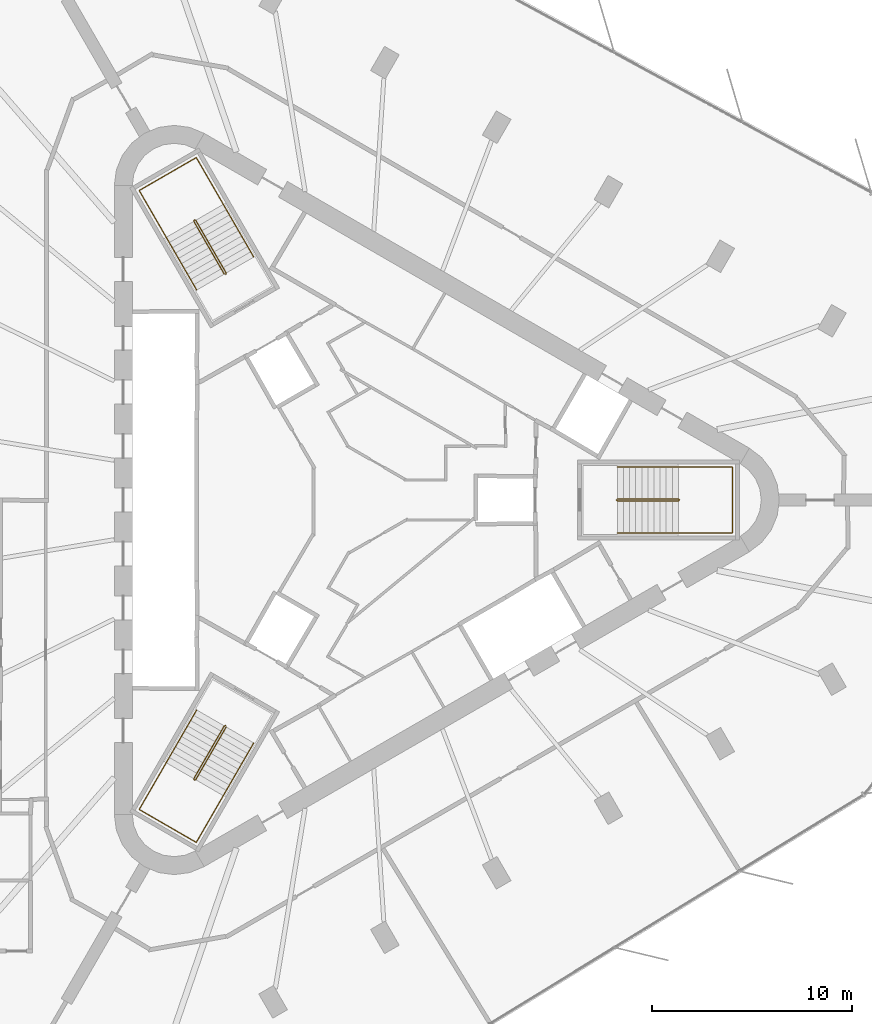
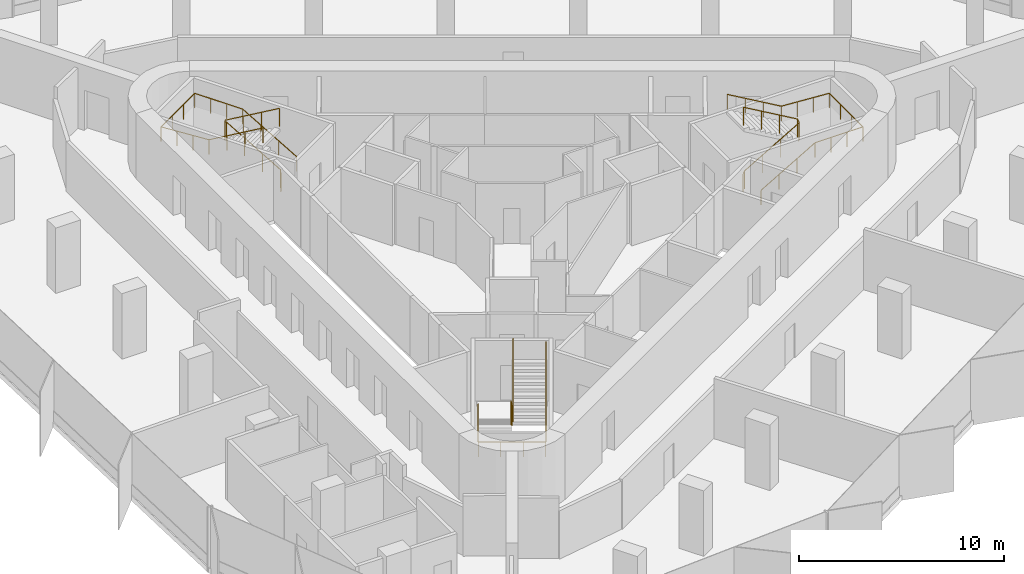
# One storey, part 12 of 12: 6 railings.
"""IFC4 building model written with IfcOpenShell, lengths in metres."""

from ifc_helpers import new_model, si_unit, direction, frame, origin, origin_2d, place, context, subcontext, project, spatial, circle, extrude, material, type_object, element, save


model = new_model("IFC4")

# Units and contexts
model_context = context("Model", 3, precision=1e-05, world=origin(), true_north=direction((0.0, 1.0)))
body_context = subcontext(model_context, "Body", "Model", "MODEL_VIEW")
ifc_project = project(units=[si_unit("LENGTHUNIT", "METRE"), si_unit("AREAUNIT", "SQUARE_METRE"), si_unit("VOLUMEUNIT", "CUBIC_METRE"), si_unit("PLANEANGLEUNIT", "RADIAN"), si_unit("MASSUNIT", "GRAM", prefix="KILO")], contexts=[model_context])

# Site, building, storey
site_placement = place(None, origin())
site = spatial("IfcSite", under=ifc_project, at=site_placement, CompositionType="ELEMENT")
building_placement = place(site_placement, origin())
building = spatial("IfcBuilding", under=site, at=building_placement, Name="Tanit Gate Tower", CompositionType="ELEMENT")
storey_placement = place(building_placement, frame((0.0, 0.0, 349.39990234375)))
storey = spatial("IfcBuildingStorey", under=building, at=storey_placement, Name="L79", CompositionType="ELEMENT", Elevation=349.39990234375)

# Railings
ifc_material_1 = material(Name="Stainless steel balustrade", Category="steel")
railing_type_1 = type_object("IfcRailingType", Name="INT-STAIR-GUARD", PredefinedType="GUARDRAIL", material=ifc_material_1)
railing_1_placement = place(storey_placement, frame((13.044921875, 0.0048828125, 0.0)))
element("IfcRailing", 1, at=railing_1_placement, inside=storey, type_object=railing_type_1, Name="L79 S1 stair guard 1", PredefinedType="GUARDRAIL", context=body_context, shape_type="SweptSolid", body=[
    extrude(circle(Radius=0.02392578125, at=origin_2d()), frame((0.0, 0.0, 1.076171875), z_axis=(0.0, -1.0, 0.0), x_axis=(1.0, 0.0, 0.0)), (0.0, 0.0, 1.0), 0.009765625),
    extrude(circle(Radius=0.02392578125, at=origin_2d()), frame((0.0, -0.009765625, 1.076171875), z_axis=(0.261922500866, -0.261922500866, 0.928866625022), x_axis=(0.707106781187, 0.707106781187, 0.0)), (0.0, 0.0, 1.0), 0.191162109375),
    extrude(circle(Radius=0.02392578125, at=origin_2d()), frame((0.050048828125, -0.059814453125, 1.25341796875), z_axis=(0.864648382064, 0.0, 0.502377522779), x_axis=(0.0, 1.0, 0.0)), (0.0, 0.0, 1.0), 3.528564453125),
    extrude(circle(Radius=0.02392578125, at=origin_2d()), frame((3.10107421875, -0.059814453125, 3.0263671875), z_axis=(0.707106781187, 0.707106781187, 0.0), x_axis=(-0.707106781187, 0.707106781187, 0.0)), (0.0, 0.0, 1.0), 0.07080078125),
    extrude(circle(Radius=0.02392578125, at=origin_2d()), frame((3.151123046875, -0.009765625, 3.0263671875), z_axis=(0.0, 1.0, 0.0), x_axis=(-1.0, 0.0, 0.0)), (0.0, 0.0, 1.0), 0.009765625),
    extrude(circle(Radius=0.02392578125, at=origin_2d()), frame((3.151123046875, 0.0, 3.0263671875), z_axis=(-0.262233686654, 0.262233686654, 0.928691007369), x_axis=(-0.707106781187, -0.707106781187, 0.0)), (0.0, 0.0, 1.0), 0.19091796875),
    extrude(circle(Radius=0.02392578125, at=origin_2d()), frame((3.10107421875, 0.050048828125, 3.20361328125), z_axis=(-0.864648382064, 0.0, 0.502377522779), x_axis=(0.0, -1.0, 0.0)), (0.0, 0.0, 1.0), 3.528564453125),
    extrude(circle(Radius=0.02099609375, at=origin_2d()), origin(), (0.0, 0.0, 1.0), 1.052001953125),
    extrude(circle(Radius=0.02099609375, at=origin_2d()), frame((0.0, -0.009765625, 0.0)), (0.0, 0.0, 1.0), 1.052001953125),
    extrude(circle(Radius=0.02099609375, at=origin_2d()), frame((0.050048828125, -0.059814453125, 0.177490234375)), (0.0, 0.0, 1.0), 1.052001953125),
    extrude(circle(Radius=0.02099609375, at=origin_2d()), frame((1.067138671875, -0.059814453125, 0.768310546875)), (0.0, 0.0, 1.0), 1.052001953125),
    extrude(circle(Radius=0.02099609375, at=origin_2d()), frame((2.083984375, -0.059814453125, 1.359375)), (0.0, 0.0, 1.0), 1.052001953125),
    extrude(circle(Radius=0.02099609375, at=origin_2d()), frame((3.10107421875, -0.059814453125, 1.9501953125)), (0.0, 0.0, 1.0), 1.052001953125),
    extrude(circle(Radius=0.02099609375, at=origin_2d()), frame((3.151123046875, -0.009765625, 1.9501953125)), (0.0, 0.0, 1.0), 1.052001953125),
    extrude(circle(Radius=0.02099609375, at=origin_2d()), frame((3.151123046875, 0.0, 1.9501953125)), (0.0, 0.0, 1.0), 1.052001953125),
    extrude(circle(Radius=0.02099609375, at=origin_2d()), frame((3.10107421875, 0.050048828125, 2.12744140625)), (0.0, 0.0, 1.0), 1.052001953125),
    extrude(circle(Radius=0.02099609375, at=origin_2d()), frame((2.083984375, 0.050048828125, 2.71826171875)), (0.0, 0.0, 1.0), 1.052001953125),
    extrude(circle(Radius=0.02099609375, at=origin_2d()), frame((1.067138671875, 0.050048828125, 3.309326171875)), (0.0, 0.0, 1.0), 1.052001953125),
    extrude(circle(Radius=0.02099609375, at=origin_2d()), frame((0.050048828125, 0.050048828125, 3.900146484375)), (0.0, 0.0, 1.0), 1.052001953125),
])
railing_2_placement = place(storey_placement, frame((-6.527099609375, 11.29345703125, 0.0)))
element("IfcRailing", 2, at=railing_2_placement, inside=storey, type_object=railing_type_1, Name="L79 S2 stair guard 1", PredefinedType="GUARDRAIL", context=body_context, shape_type="SweptSolid", body=[
    extrude(circle(Radius=0.02392578125, at=origin_2d()), frame((0.0, 0.0, 1.076171875), z_axis=(0.868243142124, 0.496138938357, 0.0), x_axis=(-0.496138938357, 0.868243142124, 0.0)), (0.0, 0.0, 1.0), 0.01171875),
    extrude(circle(Radius=0.02392578125, at=origin_2d()), frame((0.01025390625, 0.005859375, 1.076171875), z_axis=(0.095827260621, 0.357755106318, 0.928885579619), x_axis=(-0.965948051503, 0.258736085224, 0.0)), (0.0, 0.0, 1.0), 0.191162109375),
    extrude(circle(Radius=0.02392578125, at=origin_2d()), frame((0.028564453125, 0.07421875, 1.25341796875), z_axis=(-0.4322777601, 0.748681545756, 0.50260509465), x_axis=(-0.866012246495, -0.500022788402, 0.0)), (0.0, 0.0, 1.0), 3.527099609375),
    extrude(circle(Radius=0.02392578125, at=origin_2d()), frame((-1.49609375, 2.71484375, 3.0263671875), z_axis=(-0.965715946433, 0.259601060869, 0.0), x_axis=(-0.259601060869, -0.965715946433, 0.0)), (0.0, 0.0, 1.0), 0.070556640625),
    extrude(circle(Radius=0.02392578125, at=origin_2d()), frame((-1.564208984375, 2.733154296875, 3.0263671875), z_axis=(-0.873197702015, -0.487366159264, 0.0), x_axis=(0.487366159264, -0.873197702015, 0.0)), (0.0, 0.0, 1.0), 0.011962890625),
    extrude(circle(Radius=0.02392578125, at=origin_2d()), frame((-1.57470703125, 2.727294921875, 3.0263671875), z_axis=(-0.095941116058, -0.358180166617, 0.928710003441), x_axis=(0.965948051503, -0.258736085224, 0.0)), (0.0, 0.0, 1.0), 0.19091796875),
    extrude(circle(Radius=0.02392578125, at=origin_2d()), frame((-1.593017578125, 2.658935546875, 3.20361328125), z_axis=(0.4322777601, -0.748681545756, 0.50260509465), x_axis=(0.866012246495, 0.500022788402, 0.0)), (0.0, 0.0, 1.0), 3.527099609375),
    extrude(circle(Radius=0.02099609375, at=origin_2d()), origin(), (0.0, 0.0, 1.0), 1.052001953125),
    extrude(circle(Radius=0.02099609375, at=origin_2d()), frame((0.01025390625, 0.005859375, 0.0)), (0.0, 0.0, 1.0), 1.052001953125),
    extrude(circle(Radius=0.02099609375, at=origin_2d()), frame((0.028564453125, 0.07421875, 0.177490234375)), (0.0, 0.0, 1.0), 1.052001953125),
    extrude(circle(Radius=0.02099609375, at=origin_2d()), frame((-0.479736328125, 0.954345703125, 0.768310546875)), (0.0, 0.0, 1.0), 1.052001953125),
    extrude(circle(Radius=0.02099609375, at=origin_2d()), frame((-0.98779296875, 1.834716796875, 1.359375)), (0.0, 0.0, 1.0), 1.052001953125),
    extrude(circle(Radius=0.02099609375, at=origin_2d()), frame((-1.49609375, 2.71484375, 1.9501953125)), (0.0, 0.0, 1.0), 1.052001953125),
    extrude(circle(Radius=0.02099609375, at=origin_2d()), frame((-1.564208984375, 2.733154296875, 1.9501953125)), (0.0, 0.0, 1.0), 1.052001953125),
    extrude(circle(Radius=0.02099609375, at=origin_2d()), frame((-1.57470703125, 2.727294921875, 1.9501953125)), (0.0, 0.0, 1.0), 1.052001953125),
    extrude(circle(Radius=0.02099609375, at=origin_2d()), frame((-1.593017578125, 2.658935546875, 2.12744140625)), (0.0, 0.0, 1.0), 1.052001953125),
    extrude(circle(Radius=0.02099609375, at=origin_2d()), frame((-1.084716796875, 1.77880859375, 2.71826171875)), (0.0, 0.0, 1.0), 1.052001953125),
    extrude(circle(Radius=0.02099609375, at=origin_2d()), frame((-0.57666015625, 0.8984375, 3.309326171875)), (0.0, 0.0, 1.0), 1.052001953125),
    extrude(circle(Radius=0.02099609375, at=origin_2d()), frame((-0.068359375, 0.018310546875, 3.900146484375)), (0.0, 0.0, 1.0), 1.052001953125),
])
railing_3_placement = place(storey_placement, frame((-6.51806640625, -11.2998046875, 0.0)))
element("IfcRailing", 3, at=railing_3_placement, inside=storey, type_object=railing_type_1, Name="L79 S3 stair guard 1", PredefinedType="GUARDRAIL", context=body_context, shape_type="SweptSolid", body=[
    extrude(circle(Radius=0.02392578125, at=origin_2d()), frame((0.0, 0.0, 1.076171875), z_axis=(-0.874157276122, 0.485642931179, 0.0), x_axis=(-0.485642931179, -0.874157276122, 0.0)), (0.0, 0.0, 1.0), 0.010009765625),
    extrude(circle(Radius=0.02392578125, at=origin_2d()), frame((-0.0087890625, 0.0048828125, 1.076171875), z_axis=(-0.357798625124, -0.094561065211, 0.928998573091), x_axis=(0.255512919477, -0.966805641264, 0.0)), (0.0, 0.0, 1.0), 0.191162109375),
    extrude(circle(Radius=0.02392578125, at=origin_2d()), frame((-0.0771484375, -0.01318359375, 1.25341796875), z_axis=(-0.432289778901, -0.748827189027, 0.502377734411), x_axis=(0.866048339477, -0.499960272111, 0.0)), (0.0, 0.0, 1.0), 3.528564453125),
    extrude(circle(Radius=0.02392578125, at=origin_2d()), frame((-1.6025390625, -2.655517578125, 3.0263671875), z_axis=(0.258736085224, -0.965948051503, 0.0), x_axis=(0.965948051503, 0.258736085224, 0.0)), (0.0, 0.0, 1.0), 0.07080078125),
    extrude(circle(Radius=0.02392578125, at=origin_2d()), frame((-1.584228515625, -2.723876953125, 3.0263671875), z_axis=(0.868243142124, -0.496138938357, 0.0), x_axis=(0.496138938357, 0.868243142124, 0.0)), (0.0, 0.0, 1.0), 0.009765625),
    extrude(circle(Radius=0.02392578125, at=origin_2d()), frame((-1.57568359375, -2.728759765625, 3.0263671875), z_axis=(0.358180166617, 0.095941116058, 0.928710003441), x_axis=(-0.258736085224, 0.965948051503, 0.0)), (0.0, 0.0, 1.0), 0.19091796875),
    extrude(circle(Radius=0.02392578125, at=origin_2d()), frame((-1.50732421875, -2.71044921875, 3.20361328125), z_axis=(0.432368434633, 0.748774395838, 0.502388734816), x_axis=(-0.865993683553, 0.500054937028, 0.0)), (0.0, 0.0, 1.0), 3.528564453125),
    extrude(circle(Radius=0.02099609375, at=origin_2d()), origin(), (0.0, 0.0, 1.0), 1.052001953125),
    extrude(circle(Radius=0.02099609375, at=origin_2d()), frame((-0.0087890625, 0.0048828125, 0.0)), (0.0, 0.0, 1.0), 1.052001953125),
    extrude(circle(Radius=0.02099609375, at=origin_2d()), frame((-0.0771484375, -0.01318359375, 0.177490234375)), (0.0, 0.0, 1.0), 1.052001953125),
    extrude(circle(Radius=0.02099609375, at=origin_2d()), frame((-0.585693359375, -0.89404296875, 0.768310546875)), (0.0, 0.0, 1.0), 1.052001953125),
    extrude(circle(Radius=0.02099609375, at=origin_2d()), frame((-1.093994140625, -1.774658203125, 1.359375)), (0.0, 0.0, 1.0), 1.052001953125),
    extrude(circle(Radius=0.02099609375, at=origin_2d()), frame((-1.6025390625, -2.655517578125, 1.9501953125)), (0.0, 0.0, 1.0), 1.052001953125),
    extrude(circle(Radius=0.02099609375, at=origin_2d()), frame((-1.584228515625, -2.723876953125, 1.9501953125)), (0.0, 0.0, 1.0), 1.052001953125),
    extrude(circle(Radius=0.02099609375, at=origin_2d()), frame((-1.57568359375, -2.728759765625, 1.9501953125)), (0.0, 0.0, 1.0), 1.052001953125),
    extrude(circle(Radius=0.02099609375, at=origin_2d()), frame((-1.50732421875, -2.71044921875, 2.12744140625)), (0.0, 0.0, 1.0), 1.052001953125),
    extrude(circle(Radius=0.02099609375, at=origin_2d()), frame((-0.998779296875, -1.829833984375, 2.71826171875)), (0.0, 0.0, 1.0), 1.052001953125),
    extrude(circle(Radius=0.02099609375, at=origin_2d()), frame((-0.490234375, -0.948974609375, 3.309326171875)), (0.0, 0.0, 1.0), 1.052001953125),
    extrude(circle(Radius=0.02099609375, at=origin_2d()), frame((0.018310546875, -0.068359375, 3.900146484375)), (0.0, 0.0, 1.0), 1.052001953125),
])
ifc_material_2 = material(Name="Stainless steel handrail", Category="steel")
railing_type_2 = type_object("IfcRailingType", Name="INT-STAIR-HANDRAIL", PredefinedType="HANDRAIL", material=ifc_material_2)
railing_4_placement = place(storey_placement, frame((13.094970703125, -1.64990234375, 0.177490234375)))
element("IfcRailing", 4, at=railing_4_placement, inside=storey, type_object=railing_type_2, Name="L79 S1 stair handrail 1", PredefinedType="HANDRAIL", context=body_context, shape_type="SweptSolid", body=[
    extrude(circle(Radius=0.02392578125, at=origin_2d()), frame((0.0, 0.0, 0.8759765625), z_axis=(0.864648382064, 0.0, 0.502377522779), x_axis=(0.0, 1.0, 0.0)), (0.0, 0.0, 1.0), 3.528564453125),
    extrude(circle(Radius=0.02392578125, at=origin_2d()), frame((3.051025390625, 0.0, 2.6484375), z_axis=(1.0, 0.0, 0.0), x_axis=(0.0, 1.0, 0.0)), (0.0, 0.0, 1.0), 2.7041015625),
    extrude(circle(Radius=0.02392578125, at=origin_2d()), frame((5.755126953125, 0.0, 2.6484375), z_axis=(0.0, 1.0, 0.0), x_axis=(-1.0, 0.0, 0.0)), (0.0, 0.0, 1.0), 3.2998046875),
    extrude(circle(Radius=0.02392578125, at=origin_2d()), frame((5.755126953125, 3.2998046875, 2.6484375), z_axis=(-0.997858684482, 0.0, 0.065406771843), x_axis=(0.0, -1.0, 0.0)), (0.0, 0.0, 1.0), 2.7099609375),
    extrude(circle(Radius=0.02392578125, at=origin_2d()), frame((3.051025390625, 3.2998046875, 2.82568359375), z_axis=(-0.864648382064, 0.0, 0.502377522779), x_axis=(0.0, -1.0, 0.0)), (0.0, 0.0, 1.0), 3.528564453125),
    extrude(circle(Radius=0.02099609375, at=origin_2d()), origin(), (0.0, 0.0, 1.0), 0.851806640625),
    extrude(circle(Radius=0.02099609375, at=origin_2d()), frame((1.01708984375, 0.0, 0.5908203125)), (0.0, 0.0, 1.0), 0.851806640625),
    extrude(circle(Radius=0.02099609375, at=origin_2d()), frame((2.033935546875, 0.0, 1.181884765625)), (0.0, 0.0, 1.0), 0.851806640625),
    extrude(circle(Radius=0.02099609375, at=origin_2d()), frame((3.051025390625, 0.0, 1.772705078125)), (0.0, 0.0, 1.0), 0.851806640625),
    extrude(circle(Radius=0.02099609375, at=origin_2d()), frame((3.952392578125, 0.0, 1.772705078125)), (0.0, 0.0, 1.0), 0.851806640625),
    extrude(circle(Radius=0.02099609375, at=origin_2d()), frame((4.853759765625, 0.0, 1.772705078125)), (0.0, 0.0, 1.0), 0.851806640625),
    extrude(circle(Radius=0.02099609375, at=origin_2d()), frame((5.755126953125, 0.0, 1.772705078125)), (0.0, 0.0, 1.0), 0.851806640625),
    extrude(circle(Radius=0.02099609375, at=origin_2d()), frame((5.755126953125, 1.099853515625, 1.772705078125)), (0.0, 0.0, 1.0), 0.851806640625),
    extrude(circle(Radius=0.02099609375, at=origin_2d()), frame((5.755126953125, 2.199951171875, 1.772705078125)), (0.0, 0.0, 1.0), 0.851806640625),
    extrude(circle(Radius=0.02099609375, at=origin_2d()), frame((5.755126953125, 3.2998046875, 1.772705078125)), (0.0, 0.0, 1.0), 0.851806640625),
    extrude(circle(Radius=0.02099609375, at=origin_2d()), frame((4.853759765625, 3.2998046875, 1.831787109375)), (0.0, 0.0, 1.0), 0.851806640625),
    extrude(circle(Radius=0.02099609375, at=origin_2d()), frame((3.952392578125, 3.2998046875, 1.890869140625)), (0.0, 0.0, 1.0), 0.851806640625),
    extrude(circle(Radius=0.02099609375, at=origin_2d()), frame((3.051025390625, 3.2998046875, 1.949951171875)), (0.0, 0.0, 1.0), 0.851806640625),
    extrude(circle(Radius=0.02099609375, at=origin_2d()), frame((2.033935546875, 3.2998046875, 2.540771484375)), (0.0, 0.0, 1.0), 0.851806640625),
    extrude(circle(Radius=0.02099609375, at=origin_2d()), frame((1.01708984375, 3.2998046875, 3.1318359375)), (0.0, 0.0, 1.0), 0.851806640625),
    extrude(circle(Radius=0.02099609375, at=origin_2d()), frame((0.0, 3.2998046875, 3.72265625)), (0.0, 0.0, 1.0), 0.851806640625),
])
railing_5_placement = place(storey_placement, frame((-5.1181640625, 12.164794921875, 0.177490234375)))
element("IfcRailing", 5, at=railing_5_placement, inside=storey, type_object=railing_type_2, Name="L79 S2 stair handrail 1", PredefinedType="HANDRAIL", context=body_context, shape_type="SweptSolid", body=[
    extrude(circle(Radius=0.02392578125, at=origin_2d()), frame((0.0, 0.0, 0.8759765625), z_axis=(-0.432221472453, 0.748703947157, 0.502620133164), x_axis=(-0.866046917185, -0.499962735845, 0.0)), (0.0, 0.0, 1.0), 3.52685546875),
    extrude(circle(Radius=0.02392578125, at=origin_2d()), frame((-1.5244140625, 2.640625, 2.6484375), z_axis=(-0.500019123664, 0.86601436245, 0.0), x_axis=(-0.86601436245, -0.500019123664, 0.0)), (0.0, 0.0, 1.0), 2.70703125),
    extrude(circle(Radius=0.02392578125, at=origin_2d()), frame((-2.8779296875, 4.98486328125, 2.6484375), z_axis=(-0.866008176907, -0.50002983664, 0.0), x_axis=(0.50002983664, -0.866008176907, 0.0)), (0.0, 0.0, 1.0), 3.300048828125),
    extrude(circle(Radius=0.02392578125, at=origin_2d()), frame((-5.73583984375, 3.334716796875, 2.6484375), z_axis=(0.498989459885, -0.864141018102, 0.065343857842), x_axis=(0.865991810323, 0.500058181068, 0.0)), (0.0, 0.0, 1.0), 2.71240234375),
    extrude(circle(Radius=0.02392578125, at=origin_2d()), frame((-4.38232421875, 0.99072265625, 2.82568359375), z_axis=(0.432255358616, -0.748711963836, 0.502579048665), x_axis=(0.866032263162, 0.499988119021, 0.0)), (0.0, 0.0, 1.0), 3.527099609375),
    extrude(circle(Radius=0.02099609375, at=origin_2d()), origin(), (0.0, 0.0, 1.0), 0.851806640625),
    extrude(circle(Radius=0.02099609375, at=origin_2d()), frame((-0.508056640625, 0.880126953125, 0.5908203125)), (0.0, 0.0, 1.0), 0.851806640625),
    extrude(circle(Radius=0.02099609375, at=origin_2d()), frame((-1.016357421875, 1.760498046875, 1.181884765625)), (0.0, 0.0, 1.0), 0.851806640625),
    extrude(circle(Radius=0.02099609375, at=origin_2d()), frame((-1.5244140625, 2.640625, 1.772705078125)), (0.0, 0.0, 1.0), 0.851806640625),
    extrude(circle(Radius=0.02099609375, at=origin_2d()), frame((-1.9755859375, 3.422119140625, 1.772705078125)), (0.0, 0.0, 1.0), 0.851806640625),
    extrude(circle(Radius=0.02099609375, at=origin_2d()), frame((-2.4267578125, 4.203369140625, 1.772705078125)), (0.0, 0.0, 1.0), 0.851806640625),
    extrude(circle(Radius=0.02099609375, at=origin_2d()), frame((-2.8779296875, 4.98486328125, 1.772705078125)), (0.0, 0.0, 1.0), 0.851806640625),
    extrude(circle(Radius=0.02099609375, at=origin_2d()), frame((-3.83056640625, 4.434814453125, 1.772705078125)), (0.0, 0.0, 1.0), 0.851806640625),
    extrude(circle(Radius=0.02099609375, at=origin_2d()), frame((-4.783203125, 3.884765625, 1.772705078125)), (0.0, 0.0, 1.0), 0.851806640625),
    extrude(circle(Radius=0.02099609375, at=origin_2d()), frame((-5.73583984375, 3.334716796875, 1.772705078125)), (0.0, 0.0, 1.0), 0.851806640625),
    extrude(circle(Radius=0.02099609375, at=origin_2d()), frame((-5.28466796875, 2.553466796875, 1.831787109375)), (0.0, 0.0, 1.0), 0.851806640625),
    extrude(circle(Radius=0.02099609375, at=origin_2d()), frame((-4.83349609375, 1.77197265625, 1.890869140625)), (0.0, 0.0, 1.0), 0.851806640625),
    extrude(circle(Radius=0.02099609375, at=origin_2d()), frame((-4.38232421875, 0.99072265625, 1.949951171875)), (0.0, 0.0, 1.0), 0.851806640625),
    extrude(circle(Radius=0.02099609375, at=origin_2d()), frame((-3.8740234375, 0.1103515625, 2.540771484375)), (0.0, 0.0, 1.0), 0.851806640625),
    extrude(circle(Radius=0.02099609375, at=origin_2d()), frame((-3.365966796875, -0.769775390625, 3.1318359375)), (0.0, 0.0, 1.0), 0.851806640625),
    extrude(circle(Radius=0.02099609375, at=origin_2d()), frame((-2.857666015625, -1.650146484375, 3.72265625)), (0.0, 0.0, 1.0), 0.851806640625),
])
railing_6_placement = place(storey_placement, frame((-7.9765625, -10.515625, 0.177490234375)))
element("IfcRailing", 6, at=railing_6_placement, inside=storey, type_object=railing_type_2, Name="L79 S3 stair handrail 1", PredefinedType="HANDRAIL", context=body_context, shape_type="SweptSolid", body=[
    extrude(circle(Radius=0.02392578125, at=origin_2d()), frame((0.0, 0.0, 0.8759765625), z_axis=(-0.432289778901, -0.748827189027, 0.502377734411), x_axis=(0.866048339477, -0.499960272111, 0.0)), (0.0, 0.0, 1.0), 3.528564453125),
    extrude(circle(Radius=0.02392578125, at=origin_2d()), frame((-1.525390625, -2.642333984375, 2.6484375), z_axis=(-0.50004290449, -0.866000631449, 0.0), x_axis=(0.866000631449, -0.50004290449, 0.0)), (0.0, 0.0, 1.0), 2.703857421875),
    extrude(circle(Radius=0.02392578125, at=origin_2d()), frame((-2.87744140625, -4.98388671875, 2.6484375), z_axis=(0.866008176907, -0.50002983664, 0.0), x_axis=(0.50002983664, 0.866008176907, 0.0)), (0.0, 0.0, 1.0), 3.300048828125),
    extrude(circle(Radius=0.02392578125, at=origin_2d()), frame((-0.01953125, -6.634033203125, 2.6484375), z_axis=(0.498933124603, 0.864168748861, 0.065407267689), x_axis=(-0.866023205937, 0.500003806764, 0.0)), (0.0, 0.0, 1.0), 2.7099609375),
    extrude(circle(Radius=0.02392578125, at=origin_2d()), frame((1.33251953125, -4.292236328125, 2.82568359375), z_axis=(0.432289778901, 0.748827189027, 0.502377734411), x_axis=(-0.866048339477, 0.499960272111, 0.0)), (0.0, 0.0, 1.0), 3.528564453125),
    extrude(circle(Radius=0.02099609375, at=origin_2d()), origin(), (0.0, 0.0, 1.0), 0.851806640625),
    extrude(circle(Radius=0.02099609375, at=origin_2d()), frame((-0.508544921875, -0.880859375, 0.5908203125)), (0.0, 0.0, 1.0), 0.851806640625),
    extrude(circle(Radius=0.02099609375, at=origin_2d()), frame((-1.016845703125, -1.761474609375, 1.181884765625)), (0.0, 0.0, 1.0), 0.851806640625),
    extrude(circle(Radius=0.02099609375, at=origin_2d()), frame((-1.525390625, -2.642333984375, 1.772705078125)), (0.0, 0.0, 1.0), 0.851806640625),
    extrude(circle(Radius=0.02099609375, at=origin_2d()), frame((-1.97607421875, -3.4228515625, 1.772705078125)), (0.0, 0.0, 1.0), 0.851806640625),
    extrude(circle(Radius=0.02099609375, at=origin_2d()), frame((-2.4267578125, -4.203369140625, 1.772705078125)), (0.0, 0.0, 1.0), 0.851806640625),
    extrude(circle(Radius=0.02099609375, at=origin_2d()), frame((-2.87744140625, -4.98388671875, 1.772705078125)), (0.0, 0.0, 1.0), 0.851806640625),
    extrude(circle(Radius=0.02099609375, at=origin_2d()), frame((-1.9248046875, -5.533935546875, 1.772705078125)), (0.0, 0.0, 1.0), 0.851806640625),
    extrude(circle(Radius=0.02099609375, at=origin_2d()), frame((-0.97216796875, -6.083984375, 1.772705078125)), (0.0, 0.0, 1.0), 0.851806640625),
    extrude(circle(Radius=0.02099609375, at=origin_2d()), frame((-0.01953125, -6.634033203125, 1.772705078125)), (0.0, 0.0, 1.0), 0.851806640625),
    extrude(circle(Radius=0.02099609375, at=origin_2d()), frame((0.43115234375, -5.853515625, 1.831787109375)), (0.0, 0.0, 1.0), 0.851806640625),
    extrude(circle(Radius=0.02099609375, at=origin_2d()), frame((0.8818359375, -5.07275390625, 1.890869140625)), (0.0, 0.0, 1.0), 0.851806640625),
    extrude(circle(Radius=0.02099609375, at=origin_2d()), frame((1.33251953125, -4.292236328125, 1.949951171875)), (0.0, 0.0, 1.0), 0.851806640625),
    extrude(circle(Radius=0.02099609375, at=origin_2d()), frame((1.841064453125, -3.411376953125, 2.540771484375)), (0.0, 0.0, 1.0), 0.851806640625),
    extrude(circle(Radius=0.02099609375, at=origin_2d()), frame((2.349365234375, -2.53076171875, 3.1318359375)), (0.0, 0.0, 1.0), 0.851806640625),
    extrude(circle(Radius=0.02099609375, at=origin_2d()), frame((2.85791015625, -1.64990234375, 3.72265625)), (0.0, 0.0, 1.0), 0.851806640625),
])

save(model, "model.ifc")
